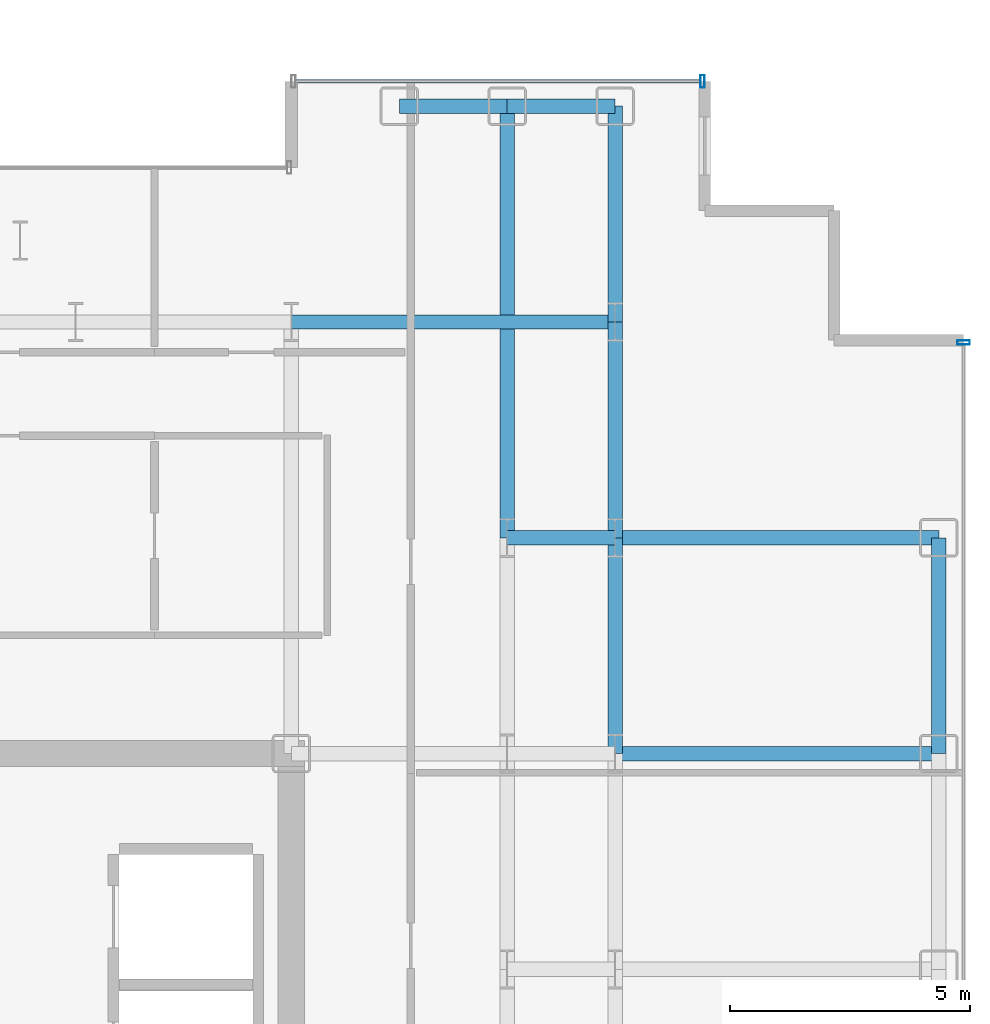
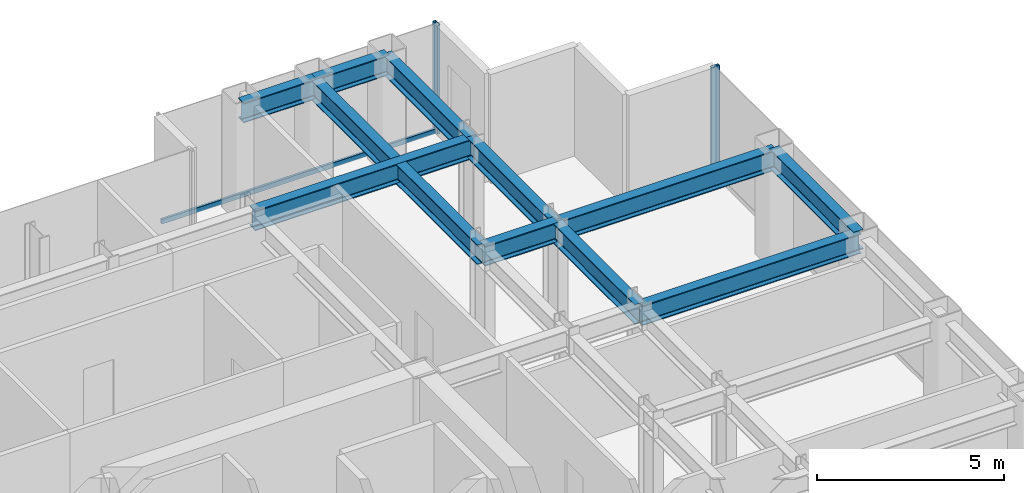
# One storey, part 14 of 23: 11 beams, 3 members, 2 elements without a shape of their own.
"""IFC4 building model written with IfcOpenShell, lengths in metres."""

from ifc_helpers import new_model, si_unit, direction, frame, origin, origin_2d, place, context, subcontext, project, spatial, hollow_rectangle, i_section, extrude, source, transform, mapped, material, layer, layer_set, material_profile, profile_set, type_object, element, aggregate, save


model = new_model("IFC4")

# Units and contexts
model_context = context("Model", 3, precision=1e-05, world=origin(), true_north=direction((0.0, 1.0)))
body_context = subcontext(model_context, "Body", "Model", "MODEL_VIEW")
ifc_project = project(units=[si_unit("LENGTHUNIT", "METRE"), si_unit("AREAUNIT", "SQUARE_METRE"), si_unit("VOLUMEUNIT", "CUBIC_METRE"), si_unit("PLANEANGLEUNIT", "RADIAN"), si_unit("MASSUNIT", "GRAM", prefix="KILO")], contexts=[model_context])

# Site, building, storey
site_placement = place(None, origin())
site = spatial("IfcSite", under=ifc_project, at=site_placement, CompositionType="ELEMENT")
building_placement = place(site_placement, origin())
building = spatial("IfcBuilding", under=site, at=building_placement, Name="Nefas-Gora Pilgrimage Tower", CompositionType="ELEMENT")
storey_placement = place(building_placement, frame((0.0, 0.0, 190.60009765625)))
storey = spatial("IfcBuildingStorey", under=building, at=storey_placement, Name="L47", CompositionType="ELEMENT", Elevation=190.60009765625)

# Beams
ifc_material_1 = material(Name="Steel S355", Category="steel")
ifc_material_profile_1 = material_profile(ifc_material_1, i_section(OverallWidth=0.300048828125, OverallDepth=0.64990234375, WebThickness=0.01611328125, FlangeThickness=0.031005859375, FilletRadius=0.027099609375, at=origin_2d()), Name="HEB 650")
ifc_profile_set_1 = profile_set([ifc_material_profile_1], Name="Steel S355")
beam_type_1 = type_object("IfcBeamType", Name="BM-SPN-HEB500", PredefinedType="SPANDREL", material=ifc_profile_set_1)
shared_shape_1 = source(origin(), body_context, "Body", "SweptSolid", [
    extrude(i_section(OverallWidth=0.300048828125, OverallDepth=0.64990234375, WebThickness=0.01611328125, FlangeThickness=0.031005859375, FilletRadius=0.027099609375, at=origin_2d()), origin(), (0.0, 0.0, 1.0), 4.5),
])
beam_1_placement = place(storey_placement, frame((24.75, 9.0, 3.224853515625), z_axis=(0.0, 1.0, 0.0), x_axis=(-1.0, 0.0, 0.0)))
element("IfcBeam", 1, at=beam_1_placement, inside=storey, type_object=beam_type_1, Name="L47 SP-02 beam", PredefinedType="SPANDREL", context=body_context, shape_type="MappedRepresentation", body=[
    mapped(shared_shape_1, transform((0.0, 0.0, 0.0), x_axis=(1.0, 0.0, 0.0), y_axis=(0.0, 1.0, 0.0), z_axis=(0.0, 0.0, 1.0), scale=1.0)),
])
ifc_material_profile_2 = material_profile(ifc_material_1, i_section(OverallWidth=0.300048828125, OverallDepth=0.64990234375, WebThickness=0.01611328125, FlangeThickness=0.031005859375, FilletRadius=0.027099609375, at=origin_2d()), Name="HEB 650")
ifc_profile_set_2 = profile_set([ifc_material_profile_2], Name="Steel S355")
beam_type_2 = type_object("IfcBeamType", Name="BM-GIR-HEB650", PredefinedType="BEAM", material=ifc_profile_set_2)
shared_shape_2 = source(origin(), body_context, "Body", "SweptSolid", [
    extrude(i_section(OverallWidth=0.300048828125, OverallDepth=0.64990234375, WebThickness=0.01611328125, FlangeThickness=0.031005859375, FilletRadius=0.027099609375, at=origin_2d()), origin(), (0.0, 0.0, 1.0), 9.0),
])
beam_2_placement = place(storey_placement, frame((15.75, 13.5, 3.224853515625), z_axis=(0.0, 1.0, 0.0), x_axis=(-1.0, 0.0, 0.0)))
element("IfcBeam", 2, at=beam_2_placement, inside=storey, type_object=beam_type_2, Name="L47 G-03 beam", PredefinedType="BEAM", context=body_context, shape_type="MappedRepresentation", body=[
    mapped(shared_shape_2, transform((0.0, 0.0, 0.0), x_axis=(1.0, 0.0, 0.0), y_axis=(0.0, 1.0, 0.0), z_axis=(0.0, 0.0, 1.0), scale=1.0)),
])
shared_shape_3 = source(origin(), body_context, "Body", "SweptSolid", [
    extrude(i_section(OverallWidth=0.300048828125, OverallDepth=0.64990234375, WebThickness=0.01611328125, FlangeThickness=0.031005859375, FilletRadius=0.027099609375, at=origin_2d()), origin(), (0.0, 0.0, 1.0), 4.5),
])
for number, where, z_axis, x_axis, name in (
    (3, (18.0, 9.0, 3.224853515625), (0.0, 1.0, 0.0), (-1.0, 0.0, 0.0), "L47 G-03 beam"),
    (4, (18.0, 13.5, 3.224853515625), (0.0, 1.0, 0.0), (-1.0, 0.0, 0.0), "L47 G-03 beam"),
    (5, (18.0, 18.0, 3.224853515625), (0.0, 1.0, 0.0), (-1.0, 0.0, 0.0), "L47 G-03 beam"),
):
    element("IfcBeam", number, at=place(storey_placement, frame(where, z_axis=z_axis, x_axis=x_axis)), inside=storey, type_object=beam_type_2, Name=name, PredefinedType="BEAM", context=body_context, shape_type="MappedRepresentation", body=[
        mapped(shared_shape_3, transform((0.0, 0.0, 0.0), x_axis=(1.0, 0.0, 0.0), y_axis=(0.0, 1.0, 0.0), z_axis=(0.0, 0.0, 1.0), scale=1.0)),
    ])
shared_shape_4 = source(origin(), body_context, "Body", "SweptSolid", [
    extrude(i_section(OverallWidth=0.300048828125, OverallDepth=0.64990234375, WebThickness=0.01611328125, FlangeThickness=0.031005859375, FilletRadius=0.027099609375, at=origin_2d()), origin(), (0.0, 0.0, 1.0), 6.75),
])
for number, where, z_axis, x_axis, name in (
    (6, (11.25, 18.0, 3.224853515625), (1.0, 0.0, 0.0), (0.0, 1.0, 0.0), "L47 G-03 beam"),
    (7, (18.0, 9.0, 3.224853515625), (1.0, 0.0, 0.0), (0.0, 1.0, 0.0), "L47 G-03 beam"),
    (8, (18.0, 13.5, 3.224853515625), (1.0, 0.0, 0.0), (0.0, 1.0, 0.0), "L47 G-03 beam"),
):
    element("IfcBeam", number, at=place(storey_placement, frame(where, z_axis=z_axis, x_axis=x_axis)), inside=storey, type_object=beam_type_2, Name=name, PredefinedType="BEAM", context=body_context, shape_type="MappedRepresentation", body=[
        mapped(shared_shape_4, transform((0.0, 0.0, 0.0), x_axis=(1.0, 0.0, 0.0), y_axis=(0.0, 1.0, 0.0), z_axis=(0.0, 0.0, 1.0), scale=1.0)),
    ])
shared_shape_5 = source(origin(), body_context, "Body", "SweptSolid", [
    extrude(i_section(OverallWidth=0.300048828125, OverallDepth=0.64990234375, WebThickness=0.01611328125, FlangeThickness=0.031005859375, FilletRadius=0.027099609375, at=origin_2d()), origin(), (0.0, 0.0, 1.0), 2.25),
])
for number, where, z_axis, x_axis, name in (
    (9, (13.5, 22.5, 3.224853515625), (1.0, 0.0, 0.0), (0.0, 1.0, 0.0), "L47 SP-02 beam"),
    (10, (15.75, 22.5, 3.224853515625), (1.0, 0.0, 0.0), (0.0, 1.0, 0.0), "L47 SP-02 beam"),
):
    element("IfcBeam", number, at=place(storey_placement, frame(where, z_axis=z_axis, x_axis=x_axis)), inside=storey, type_object=beam_type_1, Name=name, PredefinedType="SPANDREL", context=body_context, shape_type="MappedRepresentation", body=[
        mapped(shared_shape_5, transform((0.0, 0.0, 0.0), x_axis=(1.0, 0.0, 0.0), y_axis=(0.0, 1.0, 0.0), z_axis=(0.0, 0.0, 1.0), scale=1.0)),
    ])
shared_shape_6 = source(origin(), body_context, "Body", "SweptSolid", [
    extrude(i_section(OverallWidth=0.300048828125, OverallDepth=0.64990234375, WebThickness=0.01611328125, FlangeThickness=0.031005859375, FilletRadius=0.027099609375, at=origin_2d()), origin(), (0.0, 0.0, 1.0), 2.25),
])
beam_3_placement = place(storey_placement, frame((15.75, 13.5, 3.224853515625), z_axis=(1.0, 0.0, 0.0), x_axis=(0.0, 1.0, 0.0)))
element("IfcBeam", 11, at=beam_3_placement, inside=storey, type_object=beam_type_2, Name="L47 G-03 beam", PredefinedType="BEAM", context=body_context, shape_type="MappedRepresentation", body=[
    mapped(shared_shape_6, transform((0.0, 0.0, 0.0), x_axis=(1.0, 0.0, 0.0), y_axis=(0.0, 1.0, 0.0), z_axis=(0.0, 0.0, 1.0), scale=1.0)),
])

# Curtain wall, member
ifc_material_2 = material(Name="Dark ceramic-fritted solar-control aluminium-glass curtain wall", Category="aluminium")
ifc_layer = layer(ifc_material_2, 0.219970703125)
ifc_layer_set = layer_set([ifc_layer], Name="Dark ceramic-fritted solar-control aluminium-glass curtain wall")
curtain_wall_type = type_object("IfcCurtainWallType", Name="CW-SYS-3", PredefinedType="NOTDEFINED", material=ifc_layer_set)
curtain_wall_1_placement = place(storey_placement, origin())
curtain_wall_1 = element("IfcCurtainWall", 12, at=curtain_wall_1_placement, inside=storey, type_object=curtain_wall_type, Name="L47 Unitised Curtain Wall CW3", PredefinedType="NOTDEFINED")
ifc_material_3 = material(Name="Anodised architectural aluminium", Category="aluminium")
ifc_material_profile_3 = material_profile(ifc_material_3, hollow_rectangle(XDim=0.080078125, YDim=0.159912109375, WallThickness=0.00439453125, InnerFilletRadius=0.00439453125, OuterFilletRadius=0.009033203125, at=origin_2d()), Name="ALU TRANSOM 80x160")
ifc_profile_set_3 = profile_set([ifc_material_profile_3], Name="Anodised architectural aluminium")
member_type_1 = type_object("IfcMemberType", Name="CWM-TRN-3", PredefinedType="USERDEFINED", material=ifc_profile_set_3)
shared_shape_7 = source(origin(), body_context, "Body", "SweptSolid", [
    extrude(hollow_rectangle(XDim=0.080078125, YDim=0.159912109375, WallThickness=0.00439453125, InnerFilletRadius=0.00439453125, OuterFilletRadius=0.009033203125, at=origin_2d()), origin(), (0.0, 0.0, 1.0), 8.43994140625),
])
member_1_placement = place(storey_placement, frame((19.780029296875, 23.02001953125, 0.0498046875), z_axis=(-1.0, 0.0, 0.0), x_axis=(0.0, -1.0, 0.0)))
member_1 = element("IfcMember", 13, at=member_1_placement, type_object=member_type_1, Name="CW3 Spandrel Transom", ObjectType="TRANSOM", PredefinedType="USERDEFINED", context=body_context, shape_type="MappedRepresentation", body=[
    mapped(shared_shape_7, transform((0.0, 0.0, 0.0), x_axis=(1.0, 0.0, 0.0), y_axis=(0.0, 1.0, 0.0), z_axis=(0.0, 0.0, 1.0), scale=1.0)),
])

curtain_wall_2_placement = place(storey_placement, origin())
curtain_wall_2 = element("IfcCurtainWall", 14, at=curtain_wall_2_placement, inside=storey, type_object=curtain_wall_type, Name="L47 Unitised Curtain Wall CW3", PredefinedType="NOTDEFINED")
ifc_material_profile_4 = material_profile(ifc_material_3, hollow_rectangle(XDim=0.090087890625, YDim=0.260009765625, WallThickness=0.006103515625, InnerFilletRadius=0.006103515625, OuterFilletRadius=0.011962890625, at=origin_2d()), Name="ALU MULLION 90x260")
ifc_profile_set_4 = profile_set([ifc_material_profile_4], Name="Anodised architectural aluminium")
member_type_2 = type_object("IfcMemberType", Name="CWM-MUL-3", PredefinedType="MULLION", material=ifc_profile_set_4)
shared_shape_8 = source(origin(), body_context, "Body", "SweptSolid", [
    extrude(hollow_rectangle(XDim=0.090087890625, YDim=0.260009765625, WallThickness=0.006103515625, InnerFilletRadius=0.006103515625, OuterFilletRadius=0.011962890625, at=origin_2d()), origin(), (0.0, 0.0, 1.0), 3.5498046875),
])
member_2_placement = place(storey_placement, frame((25.27001953125, 17.574951171875, 0.0), z_axis=(0.0, 0.0, 1.0), x_axis=(0.0, 1.0, 0.0)))
member_2 = element("IfcMember", 15, at=member_2_placement, type_object=member_type_2, Name="CW3 Mullion 2", PredefinedType="MULLION", context=body_context, shape_type="MappedRepresentation", body=[
    mapped(shared_shape_8, transform((0.0, 0.0, 0.0), x_axis=(1.0, 0.0, 0.0), y_axis=(0.0, 1.0, 0.0), z_axis=(0.0, 0.0, 1.0), scale=1.0)),
])
aggregate(curtain_wall_2, [member_2])

# Member
member_3_placement = place(storey_placement, frame((19.824951171875, 23.02001953125, 0.0), z_axis=(0.0, 0.0, 1.0), x_axis=(-1.0, 0.0, 0.0)))
member_3 = element("IfcMember", 16, at=member_3_placement, type_object=member_type_2, Name="CW3 Mullion 1", PredefinedType="MULLION", context=body_context, shape_type="MappedRepresentation", body=[
    mapped(shared_shape_8, transform((0.0, 0.0, 0.0), x_axis=(1.0, 0.0, 0.0), y_axis=(0.0, 1.0, 0.0), z_axis=(0.0, 0.0, 1.0), scale=1.0)),
])

aggregate(curtain_wall_1, [member_3, member_1])

save(model, "model.ifc")
